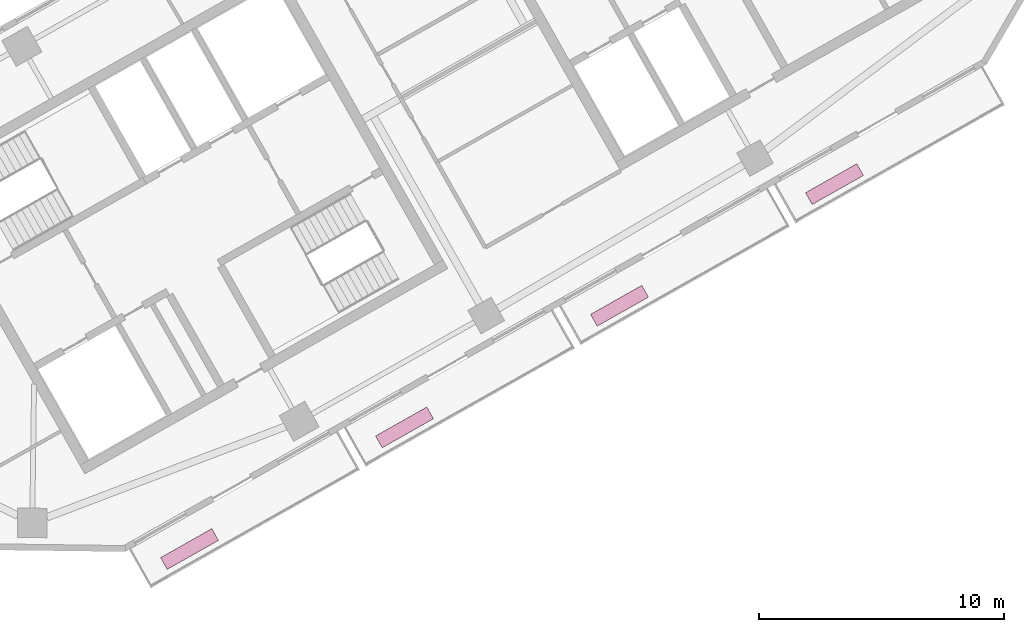
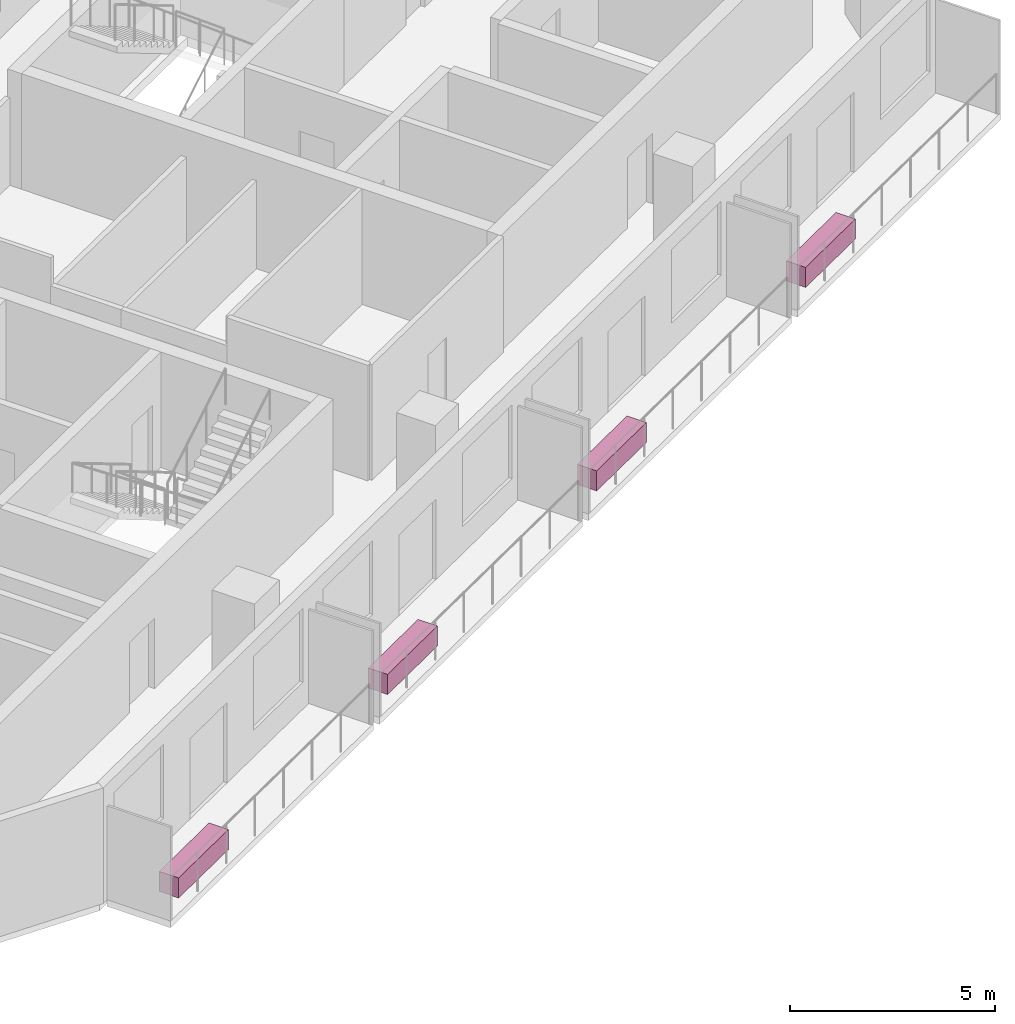
# One storey, part 7 of 7: 4 furnishings.
"""IFC4 building model written with IfcOpenShell, lengths in metres."""

from ifc_helpers import new_model, si_unit, direction, frame, origin, origin_2d, place, context, subcontext, project, spatial, rectangle, extrude, material, type_object, element, save


model = new_model("IFC4")

# Units and contexts
model_context = context("Model", 3, precision=1e-05, world=origin(), true_north=direction((0.0, 1.0)))
body_context = subcontext(model_context, "Body", "Model", "MODEL_VIEW")
ifc_project = project(units=[si_unit("LENGTHUNIT", "METRE"), si_unit("AREAUNIT", "SQUARE_METRE"), si_unit("VOLUMEUNIT", "CUBIC_METRE"), si_unit("PLANEANGLEUNIT", "RADIAN"), si_unit("MASSUNIT", "GRAM", prefix="KILO")], contexts=[model_context])

# Site, building, storey
site_placement = place(None, origin())
site = spatial("IfcSite", under=ifc_project, at=site_placement, CompositionType="ELEMENT")
building_placement = place(site_placement, origin())
building = spatial("IfcBuilding", under=site, at=building_placement, Name="Binnacle Exchange Tower", CompositionType="ELEMENT")
storey_placement = place(building_placement, frame((0.0, 0.0, 281.699951171875)))
storey = spatial("IfcBuildingStorey", under=building, at=storey_placement, Name="L63", CompositionType="ELEMENT", Elevation=281.699951171875)

# Furnishings
ifc_material = material(Name="Concrete C35/45", Category="concrete")
furnishing_element_type = type_object("IfcFurnishingElementType", Name="PLANTER 2400x550x600", material=ifc_material)
for number, where, z_axis, x_axis, name in (
    (1, (-35.44677734375, 26.428466796875, 0.0), (0.0, 0.0, 1.0), (0.87035569594, 0.492423560103, 0.0), "Planter H07-B00a L63"),
    (2, (-26.683837890625, 31.38623046875, 0.0), (0.0, 0.0, 1.0), (0.87035569594, 0.492423560103, 0.0), "Planter H07-B01a L63"),
    (3, (-17.9208984375, 36.34423828125, 0.0), (0.0, 0.0, 1.0), (0.87035569594, 0.492423560103, 0.0), "Planter H07-B02a L63"),
    (4, (-9.158203125, 41.302001953125, 0.0), (0.0, 0.0, 1.0), (0.87035569594, 0.492423560103, 0.0), "Planter H07-B03a L63"),
):
    element("IfcFurnishingElement", number, at=place(storey_placement, frame(where, z_axis=z_axis, x_axis=x_axis)), inside=storey, type_object=furnishing_element_type, Name=name, ObjectType="PLANTER", context=body_context, shape_type="SweptSolid", body=[
        extrude(rectangle(XDim=2.39990234375, YDim=0.550048828125, at=origin_2d()), origin(), (0.0, 0.0, 1.0), 0.60009765625),
    ])

save(model, "model.ifc")
